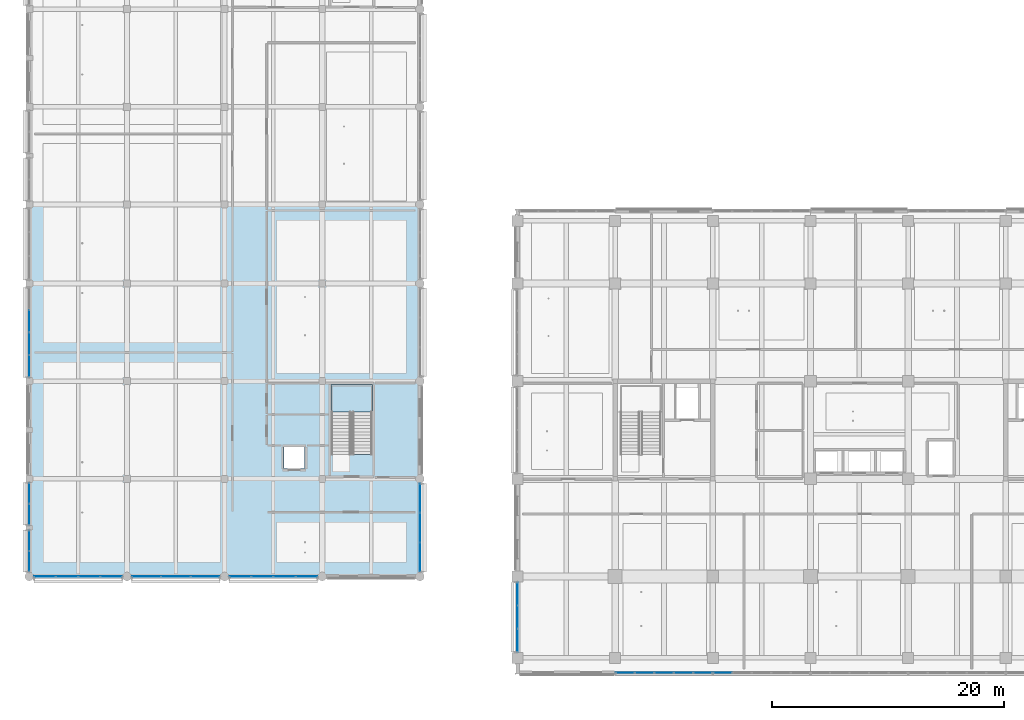
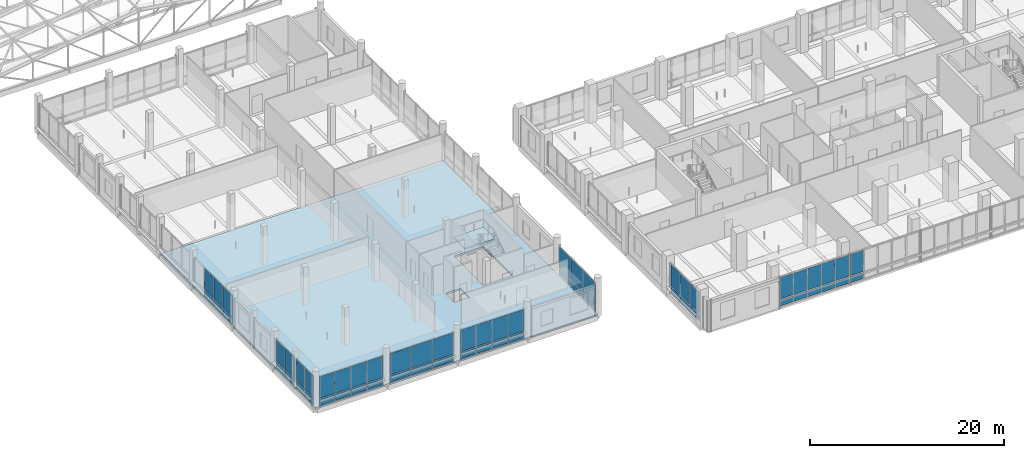
# One storey, part 42 of 122: 60 plates, 2 slabs, 11 elements without a shape of their own.
"""IFC4 building model written with IfcOpenShell, lengths in metres."""

from ifc_helpers import new_model, si_unit, direction, frame, origin, origin_2d, place, context, subcontext, project, spatial, polyline, rectangle, outline, extrude, material, layer, layer_set, type_object, element, aggregate, save


model = new_model("IFC4")

# Units and contexts
model_context = context("Model", 3, precision=1e-05, world=origin(), true_north=direction((0.0, 1.0)))
body_context = subcontext(model_context, "Body", "Model", "MODEL_VIEW")
ifc_project = project(units=[si_unit("LENGTHUNIT", "METRE"), si_unit("AREAUNIT", "SQUARE_METRE"), si_unit("VOLUMEUNIT", "CUBIC_METRE"), si_unit("PLANEANGLEUNIT", "RADIAN"), si_unit("MASSUNIT", "GRAM", prefix="KILO")], contexts=[model_context])

# Site, building, storey
site_placement = place(None, origin())
site = spatial("IfcSite", under=ifc_project, at=site_placement, CompositionType="ELEMENT")
building_placement = place(site_placement, origin())
building = spatial("IfcBuilding", under=site, at=building_placement, Name="Telukmera Botanical Conservatory", CompositionType="ELEMENT")
storey_placement = place(building_placement, frame((0.0, 0.0, 10.199951171875)))
storey = spatial("IfcBuildingStorey", under=building, at=storey_placement, Name="L02", CompositionType="ELEMENT", Elevation=10.199951171875)

# Stair, slab
ifc_material_1 = material(Name="Concrete C40/50", Category="concrete")
stair_type = type_object("IfcStairType", Name="ST-ESC-4800", PredefinedType="HALF_TURN_STAIR", material=ifc_material_1)
stair_placement = place(storey_placement, origin())
stair = element("IfcStair", 1, at=stair_placement, inside=storey, type_object=stair_type, Name="L02 Protected Escape Stair ST3", PredefinedType="HALF_TURN_STAIR")
ifc_layer_1 = layer(ifc_material_1, 0.199951171875)
ifc_layer_set_1 = layer_set([ifc_layer_1], Name="Concrete C40/50")
slab_type_1 = type_object("IfcSlabType", Name="SL-LAND-200", PredefinedType="LANDING", material=ifc_layer_set_1)
slab_1_placement = place(storey_placement, frame((0.0, 0.0, 2.199951171875)))
slab_1 = element("IfcSlab", 2, at=slab_1_placement, type_object=slab_type_1, Name="ST3 landing 1", PredefinedType="LANDING", context=body_context, shape_type="SweptSolid", body=[
    extrude(outline(polyline([(34.35009765625, 31.72998046875), (37.929931640625, 31.72998046875), (37.929931640625, 34.1201171875), (34.35009765625, 34.1201171875), (34.35009765625, 31.72998046875)])), origin(), (0.0, 0.0, 1.0), 0.2001953125),
])
aggregate(stair, [slab_1])

# Slab
ifc_layer_2 = layer(ifc_material_1, 0.219970703125)
ifc_layer_set_2 = layer_set([ifc_layer_2], Name="Concrete C40/50")
slab_type_2 = type_object("IfcSlabType", Name="Slab_FS22", PredefinedType="FLOOR", material=ifc_layer_set_2)
slab_2_placement = place(storey_placement, frame((0.0, 0.0, -0.219970703125)))
element("IfcSlab", 3, at=slab_2_placement, inside=storey, type_object=slab_type_2, Name="Visitor Centre South Floor Slab L02", PredefinedType="FLOOR", context=body_context, shape_type="SweptSolid", body=[
    extrude(outline(polyline([(8.39990234375, 17.60009765625), (42.0, 17.60009765625), (42.0, 49.60009765625), (8.39990234375, 49.60009765625), (8.39990234375, 17.60009765625)]), holes=[polyline([(37.8798828125, 28.093017578125), (37.8798828125, 34.050048828125), (34.39990234375, 34.050048828125), (34.39990234375, 28.093017578125), (37.8798828125, 28.093017578125)]), polyline([(30.330078125, 26.8798828125), (32.070068359375, 26.8798828125), (32.070068359375, 28.719970703125), (30.330078125, 28.719970703125), (30.330078125, 26.8798828125)])]), origin(), (0.0, 0.0, 1.0), 0.219970703125),
])

# Curtain wall, plates
ifc_material_2 = material(Name="Anodised aluminium 6063-T6", Category="aluminium")
ifc_layer_3 = layer(ifc_material_2, 0.179931640625)
ifc_layer_set_3 = layer_set([ifc_layer_3], Name="Anodised aluminium 6063-T6")
curtain_wall_type_1 = type_object("IfcCurtainWallType", Name="Visitor Gallery Second Floor Curtain Wall 2400 Mod", PredefinedType="USERDEFINED", material=ifc_layer_set_3)
curtain_wall_1_placement = place(storey_placement, origin())
curtain_wall_1 = element("IfcCurtainWall", 4, at=curtain_wall_1_placement, inside=storey, type_object=curtain_wall_type_1, Name="Unitised Curtain Wall CW09 V3:L02:S2", ObjectType="UNITISED CURTAIN WALL", PredefinedType="USERDEFINED")
ifc_material_3 = material(Name="Spectrally selective low-E double glazing", Category="glass")
ifc_layer_4 = layer(ifc_material_3, 0.0380859375)
ifc_layer_set_4 = layer_set([ifc_layer_4], Name="Spectrally selective low-E double glazing")
plate_type_1 = type_object("IfcPlateType", Name="Solar Control Fritted Spandrel Glazing Panel 38", PredefinedType="CURTAIN_PANEL", material=ifc_layer_set_4)
plate_1_placement = place(storey_placement, frame((18.467529296875, 17.60009765625, 0.130126953125), z_axis=(0.0, 0.0, 1.0), x_axis=(1.0, 0.0, 0.0)))
plate_1 = element("IfcPlate", 5, at=plate_1_placement, type_object=plate_type_1, Name="CW09 panel 1.1", PredefinedType="CURTAIN_PANEL", context=body_context, shape_type="SweptSolid", body=[
    extrude(rectangle(XDim=2.451171875, YDim=0.0380859375, at=origin_2d()), origin(), (0.0, 0.0, 1.0), 0.7548828125),
])
plate_2_placement = place(storey_placement, frame((18.467529296875, 17.60009765625, 1.014892578125), z_axis=(0.0, 0.0, 1.0), x_axis=(1.0, 0.0, 0.0)))
plate_2 = element("IfcPlate", 6, at=plate_2_placement, type_object=plate_type_1, Name="CW09 panel 1.2", PredefinedType="CURTAIN_PANEL", context=body_context, shape_type="SweptSolid", body=[
    extrude(rectangle(XDim=2.451171875, YDim=0.0380859375, at=origin_2d()), origin(), (0.0, 0.0, 1.0), 2.705078125),
])
plate_3_placement = place(storey_placement, frame((21.0, 17.60009765625, 0.130126953125), z_axis=(0.0, 0.0, 1.0), x_axis=(1.0, 0.0, 0.0)))
plate_3 = element("IfcPlate", 7, at=plate_3_placement, type_object=plate_type_1, Name="CW09 panel 2.1", PredefinedType="CURTAIN_PANEL", context=body_context, shape_type="SweptSolid", body=[
    extrude(rectangle(XDim=2.483642578125, YDim=0.0380859375, at=origin_2d()), origin(), (0.0, 0.0, 1.0), 0.7548828125),
])
plate_4_placement = place(storey_placement, frame((21.0, 17.60009765625, 1.014892578125), z_axis=(0.0, 0.0, 1.0), x_axis=(1.0, 0.0, 0.0)))
plate_4 = element("IfcPlate", 8, at=plate_4_placement, type_object=plate_type_1, Name="CW09 panel 2.2", PredefinedType="CURTAIN_PANEL", context=body_context, shape_type="SweptSolid", body=[
    extrude(rectangle(XDim=2.483642578125, YDim=0.0380859375, at=origin_2d()), origin(), (0.0, 0.0, 1.0), 2.705078125),
])
plate_5_placement = place(storey_placement, frame((23.532470703125, 17.60009765625, 0.130126953125), z_axis=(0.0, 0.0, 1.0), x_axis=(1.0, 0.0, 0.0)))
plate_5 = element("IfcPlate", 9, at=plate_5_placement, type_object=plate_type_1, Name="CW09 panel 3.1", PredefinedType="CURTAIN_PANEL", context=body_context, shape_type="SweptSolid", body=[
    extrude(rectangle(XDim=2.451171875, YDim=0.0380859375, at=origin_2d()), origin(), (0.0, 0.0, 1.0), 0.7548828125),
])
plate_6_placement = place(storey_placement, frame((23.532470703125, 17.60009765625, 1.014892578125), z_axis=(0.0, 0.0, 1.0), x_axis=(1.0, 0.0, 0.0)))
plate_6 = element("IfcPlate", 10, at=plate_6_placement, type_object=plate_type_1, Name="CW09 panel 3.2", PredefinedType="CURTAIN_PANEL", context=body_context, shape_type="SweptSolid", body=[
    extrude(rectangle(XDim=2.451171875, YDim=0.0380859375, at=origin_2d()), origin(), (0.0, 0.0, 1.0), 2.705078125),
])
aggregate(curtain_wall_1, [plate_1, plate_2, plate_3, plate_4, plate_5, plate_6])

curtain_wall_2_placement = place(storey_placement, origin())
curtain_wall_2 = element("IfcCurtainWall", 11, at=curtain_wall_2_placement, inside=storey, type_object=curtain_wall_type_1, Name="Unitised Curtain Wall CW09 V3:L02:E1", ObjectType="UNITISED CURTAIN WALL", PredefinedType="USERDEFINED")
plate_7_placement = place(storey_placement, frame((42.0, 19.267578125, 0.130126953125), z_axis=(0.0, 0.0, 1.0), x_axis=(0.0, 1.0, 0.0)))
plate_7 = element("IfcPlate", 12, at=plate_7_placement, type_object=plate_type_1, Name="CW09 panel 1.1", PredefinedType="CURTAIN_PANEL", context=body_context, shape_type="SweptSolid", body=[
    extrude(rectangle(XDim=2.451171875, YDim=0.0380859375, at=origin_2d()), origin(), (0.0, 0.0, 1.0), 0.7548828125),
])
plate_8_placement = place(storey_placement, frame((42.0, 19.267578125, 1.014892578125), z_axis=(0.0, 0.0, 1.0), x_axis=(0.0, 1.0, 0.0)))
plate_8 = element("IfcPlate", 13, at=plate_8_placement, type_object=plate_type_1, Name="CW09 panel 1.2", PredefinedType="CURTAIN_PANEL", context=body_context, shape_type="SweptSolid", body=[
    extrude(rectangle(XDim=2.451171875, YDim=0.0380859375, at=origin_2d()), origin(), (0.0, 0.0, 1.0), 2.705078125),
])
plate_9_placement = place(storey_placement, frame((42.0, 21.800048828125, 0.130126953125), z_axis=(0.0, 0.0, 1.0), x_axis=(0.0, 1.0, 0.0)))
plate_9 = element("IfcPlate", 14, at=plate_9_placement, type_object=plate_type_1, Name="CW09 panel 2.1", PredefinedType="CURTAIN_PANEL", context=body_context, shape_type="SweptSolid", body=[
    extrude(rectangle(XDim=2.483642578125, YDim=0.0380859375, at=origin_2d()), origin(), (0.0, 0.0, 1.0), 0.7548828125),
])
plate_10_placement = place(storey_placement, frame((42.0, 21.800048828125, 1.014892578125), z_axis=(0.0, 0.0, 1.0), x_axis=(0.0, 1.0, 0.0)))
plate_10 = element("IfcPlate", 15, at=plate_10_placement, type_object=plate_type_1, Name="CW09 panel 2.2", PredefinedType="CURTAIN_PANEL", context=body_context, shape_type="SweptSolid", body=[
    extrude(rectangle(XDim=2.483642578125, YDim=0.0380859375, at=origin_2d()), origin(), (0.0, 0.0, 1.0), 2.705078125),
])
plate_11_placement = place(storey_placement, frame((42.0, 24.33251953125, 0.130126953125), z_axis=(0.0, 0.0, 1.0), x_axis=(0.0, 1.0, 0.0)))
plate_11 = element("IfcPlate", 16, at=plate_11_placement, type_object=plate_type_1, Name="CW09 panel 3.1", PredefinedType="CURTAIN_PANEL", context=body_context, shape_type="SweptSolid", body=[
    extrude(rectangle(XDim=2.451171875, YDim=0.0380859375, at=origin_2d()), origin(), (0.0, 0.0, 1.0), 0.7548828125),
])
plate_12_placement = place(storey_placement, frame((42.0, 24.33251953125, 1.014892578125), z_axis=(0.0, 0.0, 1.0), x_axis=(0.0, 1.0, 0.0)))
plate_12 = element("IfcPlate", 17, at=plate_12_placement, type_object=plate_type_1, Name="CW09 panel 3.2", PredefinedType="CURTAIN_PANEL", context=body_context, shape_type="SweptSolid", body=[
    extrude(rectangle(XDim=2.451171875, YDim=0.0380859375, at=origin_2d()), origin(), (0.0, 0.0, 1.0), 2.705078125),
])
aggregate(curtain_wall_2, [plate_7, plate_8, plate_9, plate_10, plate_11, plate_12])

ifc_layer_5 = layer(ifc_material_2, 0.179931640625)
ifc_layer_set_5 = layer_set([ifc_layer_5], Name="Anodised aluminium 6063-T6")
curtain_wall_type_2 = type_object("IfcCurtainWallType", Name="Visitor Gallery First Floor Curtain Wall 1800 Mod", PredefinedType="USERDEFINED", material=ifc_layer_set_5)
curtain_wall_3_placement = place(storey_placement, origin())
curtain_wall_3 = element("IfcCurtainWall", 18, at=curtain_wall_3_placement, inside=storey, type_object=curtain_wall_type_2, Name="Unitised Curtain Wall CW08 V3:L02:S1", ObjectType="UNITISED CURTAIN WALL", PredefinedType="USERDEFINED")
ifc_layer_6 = layer(ifc_material_3, 0.028076171875)
ifc_layer_set_6 = layer_set([ifc_layer_6], Name="Spectrally selective low-E double glazing")
plate_type_2 = type_object("IfcPlateType", Name="Spectrally Selective Vision Double Glazing Panel 28", PredefinedType="CURTAIN_PANEL", material=ifc_layer_set_6)
plate_13_placement = place(storey_placement, frame((9.7490234375, 17.60009765625, 0.130126953125), z_axis=(0.0, 0.0, 1.0), x_axis=(1.0, 0.0, 0.0)))
plate_13 = element("IfcPlate", 19, at=plate_13_placement, type_object=plate_type_2, Name="CW08 panel 1.1", PredefinedType="CURTAIN_PANEL", context=body_context, shape_type="SweptSolid", body=[
    extrude(rectangle(XDim=1.81396484375, YDim=0.028076171875, at=origin_2d()), origin(), (0.0, 0.0, 1.0), 0.7548828125),
])
plate_14_placement = place(storey_placement, frame((9.7490234375, 17.60009765625, 1.014892578125), z_axis=(0.0, 0.0, 1.0), x_axis=(1.0, 0.0, 0.0)))
plate_14 = element("IfcPlate", 20, at=plate_14_placement, type_object=plate_type_2, Name="CW08 panel 1.2", PredefinedType="CURTAIN_PANEL", context=body_context, shape_type="SweptSolid", body=[
    extrude(rectangle(XDim=1.81396484375, YDim=0.028076171875, at=origin_2d()), origin(), (0.0, 0.0, 1.0), 2.705078125),
])
plate_15_placement = place(storey_placement, frame((11.644287109375, 17.60009765625, 0.130126953125), z_axis=(0.0, 0.0, 1.0), x_axis=(1.0, 0.0, 0.0)))
plate_15 = element("IfcPlate", 21, at=plate_15_placement, type_object=plate_type_2, Name="CW08 panel 2.1", PredefinedType="CURTAIN_PANEL", context=body_context, shape_type="SweptSolid", body=[
    extrude(rectangle(XDim=1.846435546875, YDim=0.028076171875, at=origin_2d()), origin(), (0.0, 0.0, 1.0), 0.7548828125),
])
plate_16_placement = place(storey_placement, frame((11.644287109375, 17.60009765625, 1.014892578125), z_axis=(0.0, 0.0, 1.0), x_axis=(1.0, 0.0, 0.0)))
plate_16 = element("IfcPlate", 22, at=plate_16_placement, type_object=plate_type_2, Name="CW08 panel 2.2", PredefinedType="CURTAIN_PANEL", context=body_context, shape_type="SweptSolid", body=[
    extrude(rectangle(XDim=1.846435546875, YDim=0.028076171875, at=origin_2d()), origin(), (0.0, 0.0, 1.0), 2.705078125),
])
plate_17_placement = place(storey_placement, frame((13.5556640625, 17.60009765625, 0.130126953125), z_axis=(0.0, 0.0, 1.0), x_axis=(1.0, 0.0, 0.0)))
plate_17 = element("IfcPlate", 23, at=plate_17_placement, type_object=plate_type_2, Name="CW08 panel 3.1", PredefinedType="CURTAIN_PANEL", context=body_context, shape_type="SweptSolid", body=[
    extrude(rectangle(XDim=1.846435546875, YDim=0.028076171875, at=origin_2d()), origin(), (0.0, 0.0, 1.0), 0.7548828125),
])
plate_18_placement = place(storey_placement, frame((13.5556640625, 17.60009765625, 1.014892578125), z_axis=(0.0, 0.0, 1.0), x_axis=(1.0, 0.0, 0.0)))
plate_18 = element("IfcPlate", 24, at=plate_18_placement, type_object=plate_type_2, Name="CW08 panel 3.2", PredefinedType="CURTAIN_PANEL", context=body_context, shape_type="SweptSolid", body=[
    extrude(rectangle(XDim=1.846435546875, YDim=0.028076171875, at=origin_2d()), origin(), (0.0, 0.0, 1.0), 2.705078125),
])
plate_19_placement = place(storey_placement, frame((15.450927734375, 17.60009765625, 0.130126953125), z_axis=(0.0, 0.0, 1.0), x_axis=(1.0, 0.0, 0.0)))
plate_19 = element("IfcPlate", 25, at=plate_19_placement, type_object=plate_type_2, Name="CW08 panel 4.1", PredefinedType="CURTAIN_PANEL", context=body_context, shape_type="SweptSolid", body=[
    extrude(rectangle(XDim=1.81396484375, YDim=0.028076171875, at=origin_2d()), origin(), (0.0, 0.0, 1.0), 0.7548828125),
])
plate_20_placement = place(storey_placement, frame((15.450927734375, 17.60009765625, 1.014892578125), z_axis=(0.0, 0.0, 1.0), x_axis=(1.0, 0.0, 0.0)))
plate_20 = element("IfcPlate", 26, at=plate_20_placement, type_object=plate_type_2, Name="CW08 panel 4.2", PredefinedType="CURTAIN_PANEL", context=body_context, shape_type="SweptSolid", body=[
    extrude(rectangle(XDim=1.81396484375, YDim=0.028076171875, at=origin_2d()), origin(), (0.0, 0.0, 1.0), 2.705078125),
])
aggregate(curtain_wall_3, [plate_13, plate_14, plate_15, plate_16, plate_17, plate_18, plate_19, plate_20])

curtain_wall_4_placement = place(storey_placement, origin())
curtain_wall_4 = element("IfcCurtainWall", 27, at=curtain_wall_4_placement, inside=storey, type_object=curtain_wall_type_2, Name="Unitised Curtain Wall CW08 V3:L02:S3", ObjectType="UNITISED CURTAIN WALL", PredefinedType="USERDEFINED")
plate_21_placement = place(storey_placement, frame((26.549072265625, 17.60009765625, 0.130126953125), z_axis=(0.0, 0.0, 1.0), x_axis=(1.0, 0.0, 0.0)))
plate_21 = element("IfcPlate", 28, at=plate_21_placement, type_object=plate_type_2, Name="CW08 panel 1.1", PredefinedType="CURTAIN_PANEL", context=body_context, shape_type="SweptSolid", body=[
    extrude(rectangle(XDim=1.81396484375, YDim=0.028076171875, at=origin_2d()), origin(), (0.0, 0.0, 1.0), 0.7548828125),
])
plate_22_placement = place(storey_placement, frame((26.549072265625, 17.60009765625, 1.014892578125), z_axis=(0.0, 0.0, 1.0), x_axis=(1.0, 0.0, 0.0)))
plate_22 = element("IfcPlate", 29, at=plate_22_placement, type_object=plate_type_2, Name="CW08 panel 1.2", PredefinedType="CURTAIN_PANEL", context=body_context, shape_type="SweptSolid", body=[
    extrude(rectangle(XDim=1.81396484375, YDim=0.028076171875, at=origin_2d()), origin(), (0.0, 0.0, 1.0), 2.705078125),
])
plate_23_placement = place(storey_placement, frame((28.4443359375, 17.60009765625, 0.130126953125), z_axis=(0.0, 0.0, 1.0), x_axis=(1.0, 0.0, 0.0)))
plate_23 = element("IfcPlate", 30, at=plate_23_placement, type_object=plate_type_2, Name="CW08 panel 2.1", PredefinedType="CURTAIN_PANEL", context=body_context, shape_type="SweptSolid", body=[
    extrude(rectangle(XDim=1.846435546875, YDim=0.028076171875, at=origin_2d()), origin(), (0.0, 0.0, 1.0), 0.7548828125),
])
plate_24_placement = place(storey_placement, frame((28.4443359375, 17.60009765625, 1.014892578125), z_axis=(0.0, 0.0, 1.0), x_axis=(1.0, 0.0, 0.0)))
plate_24 = element("IfcPlate", 31, at=plate_24_placement, type_object=plate_type_2, Name="CW08 panel 2.2", PredefinedType="CURTAIN_PANEL", context=body_context, shape_type="SweptSolid", body=[
    extrude(rectangle(XDim=1.846435546875, YDim=0.028076171875, at=origin_2d()), origin(), (0.0, 0.0, 1.0), 2.705078125),
])
plate_25_placement = place(storey_placement, frame((30.355712890625, 17.60009765625, 0.130126953125), z_axis=(0.0, 0.0, 1.0), x_axis=(1.0, 0.0, 0.0)))
plate_25 = element("IfcPlate", 32, at=plate_25_placement, type_object=plate_type_2, Name="CW08 panel 3.1", PredefinedType="CURTAIN_PANEL", context=body_context, shape_type="SweptSolid", body=[
    extrude(rectangle(XDim=1.846435546875, YDim=0.028076171875, at=origin_2d()), origin(), (0.0, 0.0, 1.0), 0.7548828125),
])
plate_26_placement = place(storey_placement, frame((30.355712890625, 17.60009765625, 1.014892578125), z_axis=(0.0, 0.0, 1.0), x_axis=(1.0, 0.0, 0.0)))
plate_26 = element("IfcPlate", 33, at=plate_26_placement, type_object=plate_type_2, Name="CW08 panel 3.2", PredefinedType="CURTAIN_PANEL", context=body_context, shape_type="SweptSolid", body=[
    extrude(rectangle(XDim=1.846435546875, YDim=0.028076171875, at=origin_2d()), origin(), (0.0, 0.0, 1.0), 2.705078125),
])
plate_27_placement = place(storey_placement, frame((32.2509765625, 17.60009765625, 0.130126953125), z_axis=(0.0, 0.0, 1.0), x_axis=(1.0, 0.0, 0.0)))
plate_27 = element("IfcPlate", 34, at=plate_27_placement, type_object=plate_type_2, Name="CW08 panel 4.1", PredefinedType="CURTAIN_PANEL", context=body_context, shape_type="SweptSolid", body=[
    extrude(rectangle(XDim=1.81396484375, YDim=0.028076171875, at=origin_2d()), origin(), (0.0, 0.0, 1.0), 0.7548828125),
])
plate_28_placement = place(storey_placement, frame((32.2509765625, 17.60009765625, 1.014892578125), z_axis=(0.0, 0.0, 1.0), x_axis=(1.0, 0.0, 0.0)))
plate_28 = element("IfcPlate", 35, at=plate_28_placement, type_object=plate_type_2, Name="CW08 panel 4.2", PredefinedType="CURTAIN_PANEL", context=body_context, shape_type="SweptSolid", body=[
    extrude(rectangle(XDim=1.81396484375, YDim=0.028076171875, at=origin_2d()), origin(), (0.0, 0.0, 1.0), 2.705078125),
])
aggregate(curtain_wall_4, [plate_21, plate_22, plate_23, plate_24, plate_25, plate_26, plate_27, plate_28])

curtain_wall_5_placement = place(storey_placement, origin())
curtain_wall_5 = element("IfcCurtainWall", 36, at=curtain_wall_5_placement, inside=storey, type_object=curtain_wall_type_2, Name="Unitised Curtain Wall CW08 V3:L02:W1A", ObjectType="UNITISED CURTAIN WALL", PredefinedType="USERDEFINED")
plate_29_placement = place(storey_placement, frame((8.39990234375, 18.8984375, 0.130126953125), z_axis=(0.0, 0.0, 1.0), x_axis=(0.0, 1.0, 0.0)))
plate_29 = element("IfcPlate", 37, at=plate_29_placement, type_object=plate_type_2, Name="CW08 panel 1.1", PredefinedType="CURTAIN_PANEL", context=body_context, shape_type="SweptSolid", body=[
    extrude(rectangle(XDim=1.712890625, YDim=0.028076171875, at=origin_2d()), origin(), (0.0, 0.0, 1.0), 0.7548828125),
])
plate_30_placement = place(storey_placement, frame((8.39990234375, 18.8984375, 1.014892578125), z_axis=(0.0, 0.0, 1.0), x_axis=(0.0, 1.0, 0.0)))
plate_30 = element("IfcPlate", 38, at=plate_30_placement, type_object=plate_type_2, Name="CW08 panel 1.2", PredefinedType="CURTAIN_PANEL", context=body_context, shape_type="SweptSolid", body=[
    extrude(rectangle(XDim=1.712890625, YDim=0.028076171875, at=origin_2d()), origin(), (0.0, 0.0, 1.0), 2.705078125),
])
plate_31_placement = place(storey_placement, frame((8.39990234375, 20.676513671875, 0.130126953125), z_axis=(0.0, 0.0, 1.0), x_axis=(0.0, 1.0, 0.0)))
plate_31 = element("IfcPlate", 39, at=plate_31_placement, type_object=plate_type_2, Name="CW08 panel 2.1", PredefinedType="CURTAIN_PANEL", context=body_context, shape_type="SweptSolid", body=[
    extrude(rectangle(XDim=1.712890625, YDim=0.028076171875, at=origin_2d()), origin(), (0.0, 0.0, 1.0), 0.7548828125),
])
plate_32_placement = place(storey_placement, frame((8.39990234375, 20.676513671875, 1.014892578125), z_axis=(0.0, 0.0, 1.0), x_axis=(0.0, 1.0, 0.0)))
plate_32 = element("IfcPlate", 40, at=plate_32_placement, type_object=plate_type_2, Name="CW08 panel 2.2", PredefinedType="CURTAIN_PANEL", context=body_context, shape_type="SweptSolid", body=[
    extrude(rectangle(XDim=1.712890625, YDim=0.028076171875, at=origin_2d()), origin(), (0.0, 0.0, 1.0), 2.705078125),
])
aggregate(curtain_wall_5, [plate_29, plate_30, plate_31, plate_32])

curtain_wall_6_placement = place(storey_placement, origin())
curtain_wall_6 = element("IfcCurtainWall", 41, at=curtain_wall_6_placement, inside=storey, type_object=curtain_wall_type_2, Name="Unitised Curtain Wall CW08 V3:L02:W1B", ObjectType="UNITISED CURTAIN WALL", PredefinedType="USERDEFINED")
plate_33_placement = place(storey_placement, frame((8.39990234375, 22.942138671875, 0.130126953125), z_axis=(0.0, 0.0, 1.0), x_axis=(0.0, 1.0, 0.0)))
plate_33 = element("IfcPlate", 42, at=plate_33_placement, type_object=plate_type_2, Name="CW08 panel 1.1", PredefinedType="CURTAIN_PANEL", context=body_context, shape_type="SweptSolid", body=[
    extrude(rectangle(XDim=1.75048828125, YDim=0.028076171875, at=origin_2d()), origin(), (0.0, 0.0, 1.0), 0.7548828125),
])
plate_34_placement = place(storey_placement, frame((8.39990234375, 22.942138671875, 1.014892578125), z_axis=(0.0, 0.0, 1.0), x_axis=(0.0, 1.0, 0.0)))
plate_34 = element("IfcPlate", 43, at=plate_34_placement, type_object=plate_type_2, Name="CW08 panel 1.2", PredefinedType="CURTAIN_PANEL", context=body_context, shape_type="SweptSolid", body=[
    extrude(rectangle(XDim=1.75048828125, YDim=0.028076171875, at=origin_2d()), origin(), (0.0, 0.0, 1.0), 2.705078125),
])
plate_35_placement = place(storey_placement, frame((8.39990234375, 24.7578125, 0.130126953125), z_axis=(0.0, 0.0, 1.0), x_axis=(0.0, 1.0, 0.0)))
plate_35 = element("IfcPlate", 44, at=plate_35_placement, type_object=plate_type_2, Name="CW08 panel 2.1", PredefinedType="CURTAIN_PANEL", context=body_context, shape_type="SweptSolid", body=[
    extrude(rectangle(XDim=1.75048828125, YDim=0.028076171875, at=origin_2d()), origin(), (0.0, 0.0, 1.0), 0.7548828125),
])
plate_36_placement = place(storey_placement, frame((8.39990234375, 24.7578125, 1.014892578125), z_axis=(0.0, 0.0, 1.0), x_axis=(0.0, 1.0, 0.0)))
plate_36 = element("IfcPlate", 45, at=plate_36_placement, type_object=plate_type_2, Name="CW08 panel 2.2", PredefinedType="CURTAIN_PANEL", context=body_context, shape_type="SweptSolid", body=[
    extrude(rectangle(XDim=1.75048828125, YDim=0.028076171875, at=origin_2d()), origin(), (0.0, 0.0, 1.0), 2.705078125),
])
aggregate(curtain_wall_6, [plate_33, plate_34, plate_35, plate_36])

curtain_wall_7_placement = place(storey_placement, origin())
curtain_wall_7 = element("IfcCurtainWall", 46, at=curtain_wall_7_placement, inside=storey, type_object=curtain_wall_type_2, Name="Unitised Curtain Wall CW08 V3:L02:W3", ObjectType="UNITISED CURTAIN WALL", PredefinedType="USERDEFINED")
plate_37_placement = place(storey_placement, frame((8.39990234375, 35.69287109375, 0.130126953125), z_axis=(0.0, 0.0, 1.0), x_axis=(0.0, 1.0, 0.0)))
plate_37 = element("IfcPlate", 47, at=plate_37_placement, type_object=plate_type_2, Name="CW08 panel 1.1", PredefinedType="CURTAIN_PANEL", context=body_context, shape_type="SweptSolid", body=[
    extrude(rectangle(XDim=1.8515625, YDim=0.028076171875, at=origin_2d()), origin(), (0.0, 0.0, 1.0), 0.7548828125),
])
plate_38_placement = place(storey_placement, frame((8.39990234375, 35.69287109375, 1.014892578125), z_axis=(0.0, 0.0, 1.0), x_axis=(0.0, 1.0, 0.0)))
plate_38 = element("IfcPlate", 48, at=plate_38_placement, type_object=plate_type_2, Name="CW08 panel 1.2", PredefinedType="CURTAIN_PANEL", context=body_context, shape_type="SweptSolid", body=[
    extrude(rectangle(XDim=1.8515625, YDim=0.028076171875, at=origin_2d()), origin(), (0.0, 0.0, 1.0), 2.705078125),
])
plate_39_placement = place(storey_placement, frame((8.39990234375, 37.62548828125, 0.130126953125), z_axis=(0.0, 0.0, 1.0), x_axis=(0.0, 1.0, 0.0)))
plate_39 = element("IfcPlate", 49, at=plate_39_placement, type_object=plate_type_2, Name="CW08 panel 2.1", PredefinedType="CURTAIN_PANEL", context=body_context, shape_type="SweptSolid", body=[
    extrude(rectangle(XDim=1.884033203125, YDim=0.028076171875, at=origin_2d()), origin(), (0.0, 0.0, 1.0), 0.7548828125),
])
plate_40_placement = place(storey_placement, frame((8.39990234375, 37.62548828125, 1.014892578125), z_axis=(0.0, 0.0, 1.0), x_axis=(0.0, 1.0, 0.0)))
plate_40 = element("IfcPlate", 50, at=plate_40_placement, type_object=plate_type_2, Name="CW08 panel 2.2", PredefinedType="CURTAIN_PANEL", context=body_context, shape_type="SweptSolid", body=[
    extrude(rectangle(XDim=1.884033203125, YDim=0.028076171875, at=origin_2d()), origin(), (0.0, 0.0, 1.0), 2.705078125),
])
plate_41_placement = place(storey_placement, frame((8.39990234375, 39.574462890625, 0.130126953125), z_axis=(0.0, 0.0, 1.0), x_axis=(0.0, 1.0, 0.0)))
plate_41 = element("IfcPlate", 51, at=plate_41_placement, type_object=plate_type_2, Name="CW08 panel 3.1", PredefinedType="CURTAIN_PANEL", context=body_context, shape_type="SweptSolid", body=[
    extrude(rectangle(XDim=1.884033203125, YDim=0.028076171875, at=origin_2d()), origin(), (0.0, 0.0, 1.0), 0.7548828125),
])
plate_42_placement = place(storey_placement, frame((8.39990234375, 39.574462890625, 1.014892578125), z_axis=(0.0, 0.0, 1.0), x_axis=(0.0, 1.0, 0.0)))
plate_42 = element("IfcPlate", 52, at=plate_42_placement, type_object=plate_type_2, Name="CW08 panel 3.2", PredefinedType="CURTAIN_PANEL", context=body_context, shape_type="SweptSolid", body=[
    extrude(rectangle(XDim=1.884033203125, YDim=0.028076171875, at=origin_2d()), origin(), (0.0, 0.0, 1.0), 2.705078125),
])
aggregate(curtain_wall_7, [plate_37, plate_38, plate_39, plate_40, plate_41, plate_42])

ifc_layer_7 = layer(ifc_material_2, 0.179931640625)
ifc_layer_set_7 = layer_set([ifc_layer_7], Name="Anodised aluminium 6063-T6")
curtain_wall_type_3 = type_object("IfcCurtainWallType", Name="Tower Reference Library Curtain Wall", PredefinedType="USERDEFINED", material=ifc_layer_set_7)
curtain_wall_8_placement = place(storey_placement, origin())
curtain_wall_8 = element("IfcCurtainWall", 53, at=curtain_wall_8_placement, inside=storey, type_object=curtain_wall_type_3, Name="Unitised Curtain Wall CW13 V4:L02:S2", ObjectType="UNITISED CURTAIN WALL", PredefinedType="USERDEFINED")
plate_43_placement = place(storey_placement, frame((59.657958984375, 9.320068359375, 0.130126953125), z_axis=(0.0, 0.0, 1.0), x_axis=(1.0, 0.0, 0.0)))
plate_43 = element("IfcPlate", 54, at=plate_43_placement, type_object=plate_type_2, Name="CW13 panel 1.1", PredefinedType="CURTAIN_PANEL", context=body_context, shape_type="SweptSolid", body=[
    extrude(rectangle(XDim=1.581787109375, YDim=0.028076171875, at=origin_2d()), origin(), (0.0, 0.0, 1.0), 0.7548828125),
])
plate_44_placement = place(storey_placement, frame((59.657958984375, 9.320068359375, 1.014892578125), z_axis=(0.0, 0.0, 1.0), x_axis=(1.0, 0.0, 0.0)))
plate_44 = element("IfcPlate", 55, at=plate_44_placement, type_object=plate_type_2, Name="CW13 panel 1.2", PredefinedType="CURTAIN_PANEL", context=body_context, shape_type="SweptSolid", body=[
    extrude(rectangle(XDim=1.581787109375, YDim=0.028076171875, at=origin_2d()), origin(), (0.0, 0.0, 1.0), 2.705078125),
])
plate_45_placement = place(storey_placement, frame((61.32080078125, 9.320068359375, 0.130126953125), z_axis=(0.0, 0.0, 1.0), x_axis=(1.0, 0.0, 0.0)))
plate_45 = element("IfcPlate", 56, at=plate_45_placement, type_object=plate_type_2, Name="CW13 panel 2.1", PredefinedType="CURTAIN_PANEL", context=body_context, shape_type="SweptSolid", body=[
    extrude(rectangle(XDim=1.6142578125, YDim=0.028076171875, at=origin_2d()), origin(), (0.0, 0.0, 1.0), 0.7548828125),
])
plate_46_placement = place(storey_placement, frame((61.32080078125, 9.320068359375, 1.014892578125), z_axis=(0.0, 0.0, 1.0), x_axis=(1.0, 0.0, 0.0)))
plate_46 = element("IfcPlate", 57, at=plate_46_placement, type_object=plate_type_2, Name="CW13 panel 2.2", PredefinedType="CURTAIN_PANEL", context=body_context, shape_type="SweptSolid", body=[
    extrude(rectangle(XDim=1.6142578125, YDim=0.028076171875, at=origin_2d()), origin(), (0.0, 0.0, 1.0), 2.705078125),
])
plate_47_placement = place(storey_placement, frame((63.0, 9.320068359375, 0.130126953125), z_axis=(0.0, 0.0, 1.0), x_axis=(1.0, 0.0, 0.0)))
plate_47 = element("IfcPlate", 58, at=plate_47_placement, type_object=plate_type_2, Name="CW13 panel 3.1", PredefinedType="CURTAIN_PANEL", context=body_context, shape_type="SweptSolid", body=[
    extrude(rectangle(XDim=1.6142578125, YDim=0.028076171875, at=origin_2d()), origin(), (0.0, 0.0, 1.0), 0.7548828125),
])
plate_48_placement = place(storey_placement, frame((63.0, 9.320068359375, 1.014892578125), z_axis=(0.0, 0.0, 1.0), x_axis=(1.0, 0.0, 0.0)))
plate_48 = element("IfcPlate", 59, at=plate_48_placement, type_object=plate_type_2, Name="CW13 panel 3.2", PredefinedType="CURTAIN_PANEL", context=body_context, shape_type="SweptSolid", body=[
    extrude(rectangle(XDim=1.6142578125, YDim=0.028076171875, at=origin_2d()), origin(), (0.0, 0.0, 1.0), 2.705078125),
])
plate_49_placement = place(storey_placement, frame((64.67919921875, 9.320068359375, 0.130126953125), z_axis=(0.0, 0.0, 1.0), x_axis=(1.0, 0.0, 0.0)))
plate_49 = element("IfcPlate", 60, at=plate_49_placement, type_object=plate_type_2, Name="CW13 panel 4.1", PredefinedType="CURTAIN_PANEL", context=body_context, shape_type="SweptSolid", body=[
    extrude(rectangle(XDim=1.6142578125, YDim=0.028076171875, at=origin_2d()), origin(), (0.0, 0.0, 1.0), 0.7548828125),
])
plate_50_placement = place(storey_placement, frame((64.67919921875, 9.320068359375, 1.014892578125), z_axis=(0.0, 0.0, 1.0), x_axis=(1.0, 0.0, 0.0)))
plate_50 = element("IfcPlate", 61, at=plate_50_placement, type_object=plate_type_2, Name="CW13 panel 4.2", PredefinedType="CURTAIN_PANEL", context=body_context, shape_type="SweptSolid", body=[
    extrude(rectangle(XDim=1.6142578125, YDim=0.028076171875, at=origin_2d()), origin(), (0.0, 0.0, 1.0), 2.705078125),
])
plate_51_placement = place(storey_placement, frame((66.342041015625, 9.320068359375, 0.130126953125), z_axis=(0.0, 0.0, 1.0), x_axis=(1.0, 0.0, 0.0)))
plate_51 = element("IfcPlate", 62, at=plate_51_placement, type_object=plate_type_2, Name="CW13 panel 5.1", PredefinedType="CURTAIN_PANEL", context=body_context, shape_type="SweptSolid", body=[
    extrude(rectangle(XDim=1.581787109375, YDim=0.028076171875, at=origin_2d()), origin(), (0.0, 0.0, 1.0), 0.7548828125),
])
plate_52_placement = place(storey_placement, frame((66.342041015625, 9.320068359375, 1.014892578125), z_axis=(0.0, 0.0, 1.0), x_axis=(1.0, 0.0, 0.0)))
plate_52 = element("IfcPlate", 63, at=plate_52_placement, type_object=plate_type_2, Name="CW13 panel 5.2", PredefinedType="CURTAIN_PANEL", context=body_context, shape_type="SweptSolid", body=[
    extrude(rectangle(XDim=1.581787109375, YDim=0.028076171875, at=origin_2d()), origin(), (0.0, 0.0, 1.0), 2.705078125),
])
aggregate(curtain_wall_8, [plate_43, plate_44, plate_45, plate_46, plate_47, plate_48, plate_49, plate_50, plate_51, plate_52])

curtain_wall_9_placement = place(storey_placement, origin())
curtain_wall_9 = element("IfcCurtainWall", 64, at=curtain_wall_9_placement, inside=storey, type_object=curtain_wall_type_3, Name="Unitised Curtain Wall CW13 V4:L02:S3", ObjectType="UNITISED CURTAIN WALL", PredefinedType="USERDEFINED")
plate_53_placement = place(storey_placement, frame((68.057861328125, 9.320068359375, 0.130126953125), z_axis=(0.0, 0.0, 1.0), x_axis=(1.0, 0.0, 0.0)))
plate_53 = element("IfcPlate", 65, at=plate_53_placement, type_object=plate_type_2, Name="CW13 panel 1.1", PredefinedType="CURTAIN_PANEL", context=body_context, shape_type="SweptSolid", body=[
    extrude(rectangle(XDim=1.581787109375, YDim=0.028076171875, at=origin_2d()), origin(), (0.0, 0.0, 1.0), 0.7548828125),
])
plate_54_placement = place(storey_placement, frame((68.057861328125, 9.320068359375, 1.014892578125), z_axis=(0.0, 0.0, 1.0), x_axis=(1.0, 0.0, 0.0)))
plate_54 = element("IfcPlate", 66, at=plate_54_placement, type_object=plate_type_2, Name="CW13 panel 1.2", PredefinedType="CURTAIN_PANEL", context=body_context, shape_type="SweptSolid", body=[
    extrude(rectangle(XDim=1.581787109375, YDim=0.028076171875, at=origin_2d()), origin(), (0.0, 0.0, 1.0), 2.705078125),
])
aggregate(curtain_wall_9, [plate_53, plate_54])

curtain_wall_10_placement = place(storey_placement, origin())
curtain_wall_10 = element("IfcCurtainWall", 67, at=curtain_wall_10_placement, inside=storey, type_object=curtain_wall_type_3, Name="Unitised Curtain Wall CW13 V4:L02:W1", ObjectType="UNITISED CURTAIN WALL", PredefinedType="USERDEFINED")
plate_55_placement = place(storey_placement, frame((50.39990234375, 12.100830078125, 0.130126953125), z_axis=(0.0, 0.0, 1.0), x_axis=(0.0, 1.0, 0.0)))
plate_55 = element("IfcPlate", 68, at=plate_55_placement, type_object=plate_type_2, Name="CW13 panel 1.1", PredefinedType="CURTAIN_PANEL", context=body_context, shape_type="SweptSolid", body=[
    extrude(rectangle(XDim=1.917724609375, YDim=0.028076171875, at=origin_2d()), origin(), (0.0, 0.0, 1.0), 0.7548828125),
])
plate_56_placement = place(storey_placement, frame((50.39990234375, 12.100830078125, 1.014892578125), z_axis=(0.0, 0.0, 1.0), x_axis=(0.0, 1.0, 0.0)))
plate_56 = element("IfcPlate", 69, at=plate_56_placement, type_object=plate_type_2, Name="CW13 panel 1.2", PredefinedType="CURTAIN_PANEL", context=body_context, shape_type="SweptSolid", body=[
    extrude(rectangle(XDim=1.917724609375, YDim=0.028076171875, at=origin_2d()), origin(), (0.0, 0.0, 1.0), 2.705078125),
])
plate_57_placement = place(storey_placement, frame((50.39990234375, 14.10009765625, 0.130126953125), z_axis=(0.0, 0.0, 1.0), x_axis=(0.0, 1.0, 0.0)))
plate_57 = element("IfcPlate", 70, at=plate_57_placement, type_object=plate_type_2, Name="CW13 panel 2.1", PredefinedType="CURTAIN_PANEL", context=body_context, shape_type="SweptSolid", body=[
    extrude(rectangle(XDim=1.950439453125, YDim=0.028076171875, at=origin_2d()), origin(), (0.0, 0.0, 1.0), 0.7548828125),
])
plate_58_placement = place(storey_placement, frame((50.39990234375, 14.10009765625, 1.014892578125), z_axis=(0.0, 0.0, 1.0), x_axis=(0.0, 1.0, 0.0)))
plate_58 = element("IfcPlate", 71, at=plate_58_placement, type_object=plate_type_2, Name="CW13 panel 2.2", PredefinedType="CURTAIN_PANEL", context=body_context, shape_type="SweptSolid", body=[
    extrude(rectangle(XDim=1.950439453125, YDim=0.028076171875, at=origin_2d()), origin(), (0.0, 0.0, 1.0), 2.705078125),
])
plate_59_placement = place(storey_placement, frame((50.39990234375, 16.09912109375, 0.130126953125), z_axis=(0.0, 0.0, 1.0), x_axis=(0.0, 1.0, 0.0)))
plate_59 = element("IfcPlate", 72, at=plate_59_placement, type_object=plate_type_2, Name="CW13 panel 3.1", PredefinedType="CURTAIN_PANEL", context=body_context, shape_type="SweptSolid", body=[
    extrude(rectangle(XDim=1.917724609375, YDim=0.028076171875, at=origin_2d()), origin(), (0.0, 0.0, 1.0), 0.7548828125),
])
plate_60_placement = place(storey_placement, frame((50.39990234375, 16.09912109375, 1.014892578125), z_axis=(0.0, 0.0, 1.0), x_axis=(0.0, 1.0, 0.0)))
plate_60 = element("IfcPlate", 73, at=plate_60_placement, type_object=plate_type_2, Name="CW13 panel 3.2", PredefinedType="CURTAIN_PANEL", context=body_context, shape_type="SweptSolid", body=[
    extrude(rectangle(XDim=1.917724609375, YDim=0.028076171875, at=origin_2d()), origin(), (0.0, 0.0, 1.0), 2.705078125),
])
aggregate(curtain_wall_10, [plate_55, plate_56, plate_57, plate_58, plate_59, plate_60])

save(model, "model.ifc")
